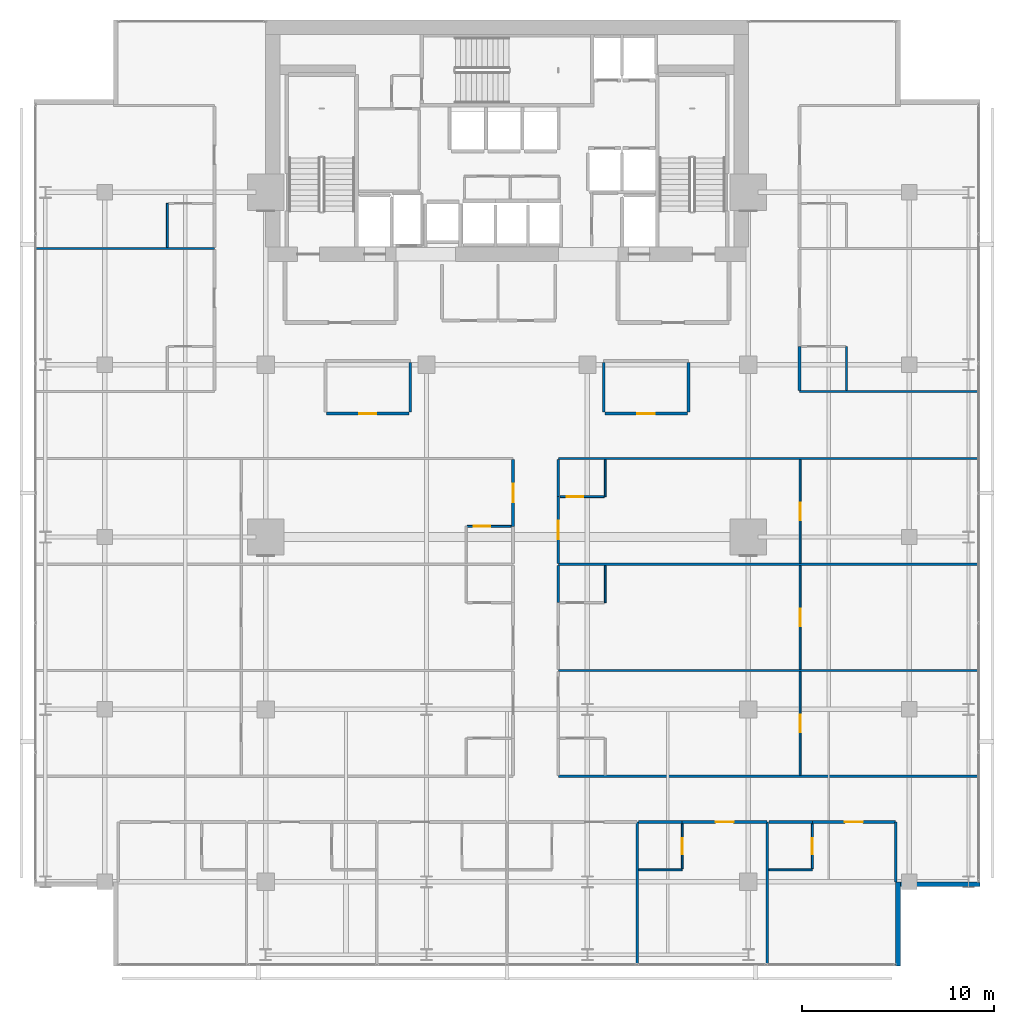
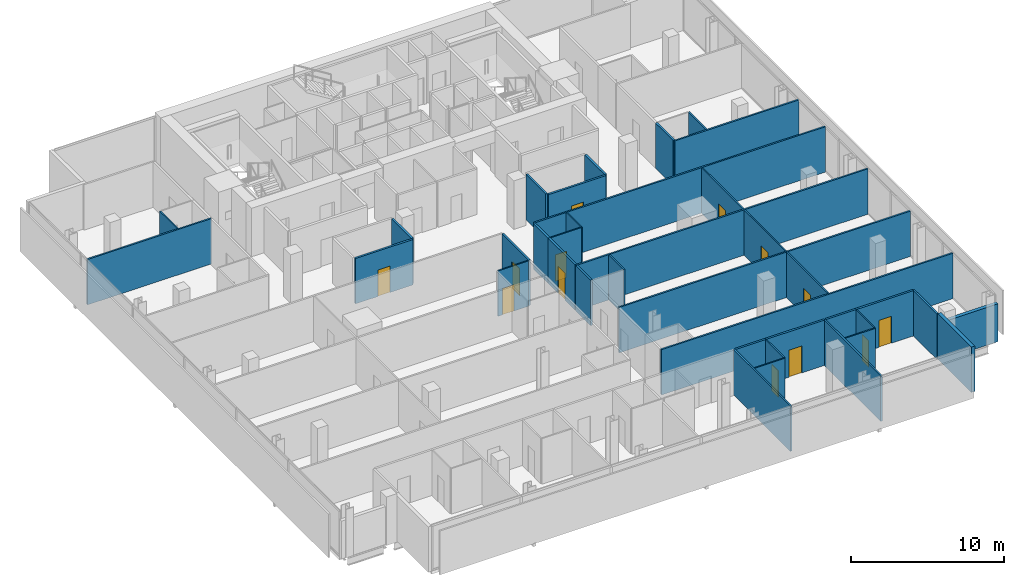
# One storey, part 28 of 33: 38 walls, 13 doors, 13 openings.
"""IFC4 building model written with IfcOpenShell, lengths in metres."""

from ifc_helpers import new_model, si_unit, direction, frame, frame_2d, origin, place, context, subcontext, project, spatial, rectangle, extrude, material, layer, layer_set, type_object, element, fill, save


model = new_model("IFC4")

# Units and contexts
model_context = context("Model", 3, precision=1e-05, world=origin(), true_north=direction((0.0, 1.0)))
body_context = subcontext(model_context, "Body", "Model", "MODEL_VIEW")
ifc_project = project(units=[si_unit("LENGTHUNIT", "METRE"), si_unit("AREAUNIT", "SQUARE_METRE"), si_unit("VOLUMEUNIT", "CUBIC_METRE"), si_unit("PLANEANGLEUNIT", "RADIAN"), si_unit("MASSUNIT", "GRAM", prefix="KILO")], contexts=[model_context])

# Site, building, storey
site_placement = place(None, origin())
site = spatial("IfcSite", under=ifc_project, at=site_placement, CompositionType="ELEMENT")
building_placement = place(site_placement, origin())
building = spatial("IfcBuilding", under=site, at=building_placement, Name="Maruvema Waterfront Hotel and Observation Tower", CompositionType="ELEMENT")
storey_placement = place(building_placement, frame((0.0, 0.0, 158.199951171875)))
storey = spatial("IfcBuildingStorey", under=building, at=storey_placement, Name="L38", CompositionType="ELEMENT", Elevation=158.199951171875)

# Wall
ifc_material_1 = material(Name="Twin-stud acoustic gypsum drywall", Category="gypsum")
ifc_layer_1 = layer(ifc_material_1, 0.14990234375, Name="Acoustic Corridor and Suite Demising Wall 150 mm")
ifc_layer_set_1 = layer_set([ifc_layer_1], Name="Twin-stud acoustic gypsum drywall")
wall_type_1 = type_object("IfcWallType", Name="Acoustic Corridor and Suite Demising Wall 150 mm", PredefinedType="PARTITIONING", material=ifc_layer_set_1)
wall_1_placement = place(storey_placement, frame((32.75, 33.530029296875, 0.0), z_axis=(0.0, 0.0, 1.0), x_axis=(0.0, 1.0, 0.0)))
element("IfcWall", 1, at=wall_1_placement, inside=storey, type_object=wall_type_1, Name="L38 L38-M1 East Wall 029", PredefinedType="PARTITIONING", context=body_context, shape_type="SweptSolid", body=[
    extrude(rectangle(XDim=2.590087890625, YDim=0.14990234375, at=frame_2d((1.294921875, 0.0))), origin(), (0.0, 0.0, 1.0), 3.610107421875),
])

# Wall, opening, door
wall_2_placement = place(storey_placement, frame((28.3798828125, 33.449951171875, 0.0), z_axis=(0.0, 0.0, 1.0), x_axis=(1.0, 0.0, 0.0)))
wall_2 = element("IfcWall", 2, at=wall_2_placement, inside=storey, type_object=wall_type_1, Name="L38 L38-M1 Front 1 030", PredefinedType="PARTITIONING", context=body_context, shape_type="SweptSolid", body=[
    extrude(rectangle(XDim=4.31005859375, YDim=0.14990234375, at=frame_2d((2.155029296875, 0.0))), origin(), (0.0, 0.0, 1.0), 3.610107421875),
])
opening_1_placement = place(wall_2_placement, frame((1.705078125, 0.0, 0.0)))
opening_1 = element("IfcOpeningElement", 3, at=opening_1_placement, cuts=wall_2, Name="Opening DR-090", PredefinedType="OPENING", context=body_context, shape_type="SweptSolid", body=[
    extrude(rectangle(XDim=0.89990234375, YDim=2.10009765625, at=frame_2d((0.449951171875, 1.050048828125))), frame((0.0, 0.0849609375, 0.0), z_axis=(0.0, -1.0, 0.0), x_axis=(1.0, 0.0, 0.0)), (0.0, 0.0, 1.0), 0.169921875),
])
ifc_material_2 = material(Name="Solid-core lacquered timber leaf", Category="wood")
door_type_1 = type_object("IfcDoorType", Name="Accessible Toilet and Room Door 900x2100 mm", OperationType="NOTDEFINED", PredefinedType="DOOR", material=ifc_material_2)
door_1_placement = place(opening_1_placement, frame((0.89990234375, 0.0, 0.0), z_axis=(0.0, 0.0, 1.0), x_axis=(-1.0, 0.0, 0.0)))
door_1 = element("IfcDoor", 4, at=door_1_placement, inside=storey, type_object=door_type_1, Name="L38 Study Office 1 Door", OperationType="SINGLE_SWING_LEFT", OverallHeight=2.10009765625, OverallWidth=0.89990234375, PredefinedType="DOOR", context=body_context, shape_type="SweptSolid", body=[
    extrude(rectangle(XDim=0.89990234375, YDim=2.10009765625, at=frame_2d((0.449951171875, 1.050048828125))), frame((0.0, 0.02490234375, 0.0), z_axis=(0.0, -1.0, 0.0), x_axis=(1.0, 0.0, 0.0)), (0.0, 0.0, 1.0), 0.050048828125),
])
fill(opening_1, door_1)

# Walls
for number, where, z_axis, x_axis, name in (
    (5, (42.85009765625, 33.530029296875, 0.0), (0.0, 0.0, 1.0), (0.0, 1.0, 0.0), "L38 L38-M2 West Wall 032"),
    (6, (47.280029296875, 33.530029296875, 0.0), (0.0, 0.0, 1.0), (0.0, 1.0, 0.0), "L38 L38-M2 East Wall 033"),
):
    element("IfcWall", number, at=place(storey_placement, frame(where, z_axis=z_axis, x_axis=x_axis)), inside=storey, type_object=wall_type_1, Name=name, PredefinedType="PARTITIONING", context=body_context, shape_type="SweptSolid", body=[
        extrude(rectangle(XDim=2.590087890625, YDim=0.14990234375, at=frame_2d((1.294921875, 0.0))), origin(), (0.0, 0.0, 1.0), 3.610107421875),
    ])

# Wall, opening, door
wall_3_placement = place(storey_placement, frame((42.909912109375, 33.449951171875, 0.0), z_axis=(0.0, 0.0, 1.0), x_axis=(1.0, 0.0, 0.0)))
wall_3 = element("IfcWall", 7, at=wall_3_placement, inside=storey, type_object=wall_type_1, Name="L38 L38-M2 Front 1 034", PredefinedType="PARTITIONING", context=body_context, shape_type="SweptSolid", body=[
    extrude(rectangle(XDim=4.31005859375, YDim=0.14990234375, at=frame_2d((2.155029296875, 0.0))), origin(), (0.0, 0.0, 1.0), 3.610107421875),
])
opening_2_placement = place(wall_3_placement, frame((1.705078125, 0.0, 0.0)))
opening_2 = element("IfcOpeningElement", 8, at=opening_2_placement, cuts=wall_3, Name="Opening DR-090", PredefinedType="OPENING", context=body_context, shape_type="SweptSolid", body=[
    extrude(rectangle(XDim=0.89990234375, YDim=2.10009765625, at=frame_2d((0.449951171875, 1.050048828125))), frame((0.0, 0.0849609375, 0.0), z_axis=(0.0, -1.0, 0.0), x_axis=(1.0, 0.0, 0.0)), (0.0, 0.0, 1.0), 0.169921875),
])
door_2_placement = place(opening_2_placement, frame((0.89990234375, 0.0, 0.0), z_axis=(0.0, 0.0, 1.0), x_axis=(-1.0, 0.0, 0.0)))
door_2 = element("IfcDoor", 9, at=door_2_placement, inside=storey, type_object=door_type_1, Name="L38 Tea Kitchenette Door", OperationType="SINGLE_SWING_RIGHT", OverallHeight=2.10009765625, OverallWidth=0.89990234375, PredefinedType="DOOR", context=body_context, shape_type="SweptSolid", body=[
    extrude(rectangle(XDim=0.89990234375, YDim=2.10009765625, at=frame_2d((0.449951171875, 1.050048828125))), frame((0.0, 0.02490234375, 0.0), z_axis=(0.0, -1.0, 0.0), x_axis=(1.0, 0.0, 0.0)), (0.0, 0.0, 1.0), 0.050048828125),
])
fill(opening_2, door_2)

# Wall
wall_4_placement = place(storey_placement, frame((44.679931640625, 12.1201171875, 0.0), z_axis=(0.0, 0.0, 1.0), x_axis=(1.0, 0.0, 0.0)))
element("IfcWall", 10, at=wall_4_placement, inside=storey, type_object=wall_type_1, Name="L38 Bath L38-S5 Back Wall 057", PredefinedType="PARTITIONING", context=body_context, shape_type="SweptSolid", body=[
    extrude(rectangle(XDim=2.27001953125, YDim=0.14990234375, at=frame_2d((1.135009765625, 0.0))), origin(), (0.0, 0.0, 1.0), 3.610107421875),
])

# Wall, opening, door
wall_5_placement = place(storey_placement, frame((46.949951171875, 12.1201171875, 0.0), z_axis=(0.0, 0.0, 1.0), x_axis=(1.0, 0.0, 0.0)))
wall_5 = element("IfcWall", 11, at=wall_5_placement, inside=storey, type_object=wall_type_1, Name="L38 Unit L38-S5 Corridor Wall 060", PredefinedType="PARTITIONING", context=body_context, shape_type="SweptSolid", body=[
    extrude(rectangle(XDim=4.429931640625, YDim=0.14990234375, at=frame_2d((2.21484375, 0.0))), origin(), (0.0, 0.0, 1.0), 3.610107421875),
])
opening_3_placement = place(wall_5_placement, frame((1.739990234375, 0.0, 0.0)))
opening_3 = element("IfcOpeningElement", 12, at=opening_3_placement, cuts=wall_5, Name="Opening DR-095", PredefinedType="OPENING", context=body_context, shape_type="SweptSolid", body=[
    extrude(rectangle(XDim=0.949951171875, YDim=2.14990234375, at=frame_2d((0.47509765625, 1.074951171875))), frame((0.0, 0.0849609375, 0.0), z_axis=(0.0, -1.0, 0.0), x_axis=(1.0, 0.0, 0.0)), (0.0, 0.0, 1.0), 0.169921875),
])
ifc_material_3 = material(Name="Acoustic solid-core hardwood timber leaf", Category="wood")
door_type_2 = type_object("IfcDoorType", Name="Guestroom Entrance Fire Door 950x2150 mm", OperationType="NOTDEFINED", PredefinedType="DOOR", material=ifc_material_3)
door_3_placement = place(opening_3_placement, frame((0.949951171875, 0.0, 0.0), z_axis=(0.0, 0.0, 1.0), x_axis=(-1.0, 0.0, 0.0)))
door_3 = element("IfcDoor", 13, at=door_3_placement, inside=storey, type_object=door_type_2, Name="L38 Unit L38-S5 Entrance Door", OperationType="SINGLE_SWING_RIGHT", OverallHeight=2.14990234375, OverallWidth=0.949951171875, PredefinedType="DOOR", context=body_context, shape_type="SweptSolid", body=[
    extrude(rectangle(XDim=0.949951171875, YDim=2.14990234375, at=frame_2d((0.47509765625, 1.074951171875))), frame((0.0, 0.02490234375, 0.0), z_axis=(0.0, -1.0, 0.0), x_axis=(1.0, 0.0, 0.0)), (0.0, 0.0, 1.0), 0.050048828125),
])
fill(opening_3, door_3)

# Wall
wall_6_placement = place(storey_placement, frame((51.47998046875, 12.1201171875, 0.0), z_axis=(0.0, 0.0, 1.0), x_axis=(1.0, 0.0, 0.0)))
element("IfcWall", 14, at=wall_6_placement, inside=storey, type_object=wall_type_1, Name="L38 Bath L38-S6 Back Wall 062", PredefinedType="PARTITIONING", context=body_context, shape_type="SweptSolid", body=[
    extrude(rectangle(XDim=2.27001953125, YDim=0.14990234375, at=frame_2d((1.135009765625, 0.0))), origin(), (0.0, 0.0, 1.0), 3.610107421875),
])

# Wall, opening, door
wall_7_placement = place(storey_placement, frame((53.75, 12.1201171875, 0.0), z_axis=(0.0, 0.0, 1.0), x_axis=(1.0, 0.0, 0.0)))
wall_7 = element("IfcWall", 15, at=wall_7_placement, inside=storey, type_object=wall_type_1, Name="L38 Unit L38-S6 Corridor Wall 065", PredefinedType="PARTITIONING", context=body_context, shape_type="SweptSolid", body=[
    extrude(rectangle(XDim=4.330078125, YDim=0.14990234375, at=frame_2d((2.1650390625, 0.0))), origin(), (0.0, 0.0, 1.0), 3.610107421875),
])
opening_4_placement = place(wall_7_placement, frame((1.68994140625, 0.0, 0.0)))
opening_4 = element("IfcOpeningElement", 16, at=opening_4_placement, cuts=wall_7, Name="Opening DR-095", PredefinedType="OPENING", context=body_context, shape_type="SweptSolid", body=[
    extrude(rectangle(XDim=0.949951171875, YDim=2.14990234375, at=frame_2d((0.47509765625, 1.074951171875))), frame((0.0, 0.0849609375, 0.0), z_axis=(0.0, -1.0, 0.0), x_axis=(1.0, 0.0, 0.0)), (0.0, 0.0, 1.0), 0.169921875),
])
door_4_placement = place(opening_4_placement, frame((0.949951171875, 0.0, 0.0), z_axis=(0.0, 0.0, 1.0), x_axis=(-1.0, 0.0, 0.0)))
door_4 = element("IfcDoor", 17, at=door_4_placement, inside=storey, type_object=door_type_2, Name="L38 Unit L38-S6 Entrance Door", OperationType="SINGLE_SWING_RIGHT", OverallHeight=2.14990234375, OverallWidth=0.949951171875, PredefinedType="DOOR", context=body_context, shape_type="SweptSolid", body=[
    extrude(rectangle(XDim=0.949951171875, YDim=2.14990234375, at=frame_2d((0.47509765625, 1.074951171875))), frame((0.0, 0.02490234375, 0.0), z_axis=(0.0, -1.0, 0.0), x_axis=(1.0, 0.0, 0.0)), (0.0, 0.0, 1.0), 0.050048828125),
])
fill(opening_4, door_4)

# Wall
wall_8_placement = place(storey_placement, frame((40.47998046875, 23.580078125, 0.0), z_axis=(0.0, 0.0, 1.0), x_axis=(0.0, 1.0, 0.0)))
element("IfcWall", 18, at=wall_8_placement, inside=storey, type_object=wall_type_1, Name="L38 Bath L38-E2 Wall 088", PredefinedType="PARTITIONING", context=body_context, shape_type="SweptSolid", body=[
    extrude(rectangle(XDim=1.929931640625, YDim=0.14990234375, at=frame_2d((0.96484375, 0.0))), origin(), (0.0, 0.0, 1.0), 3.610107421875),
])

# Wall, opening, door
wall_9_placement = place(storey_placement, frame((38.1201171875, 27.56005859375, 0.0), z_axis=(0.0, 0.0, 1.0), x_axis=(0.0, 1.0, 0.0)))
wall_9 = element("IfcWall", 19, at=wall_9_placement, inside=storey, type_object=wall_type_1, Name="L38 Room L38-W3 Corridor Wall 095", PredefinedType="PARTITIONING", context=body_context, shape_type="SweptSolid", body=[
    extrude(rectangle(XDim=3.47998046875, YDim=0.14990234375, at=frame_2d((1.739990234375, 0.0))), origin(), (0.0, 0.0, 1.0), 3.610107421875),
])
opening_5_placement = place(wall_9_placement, frame((1.264892578125, 0.0, 0.0)))
opening_5 = element("IfcOpeningElement", 20, at=opening_5_placement, cuts=wall_9, Name="Opening DR-095", PredefinedType="OPENING", context=body_context, shape_type="SweptSolid", body=[
    extrude(rectangle(XDim=0.949951171875, YDim=2.14990234375, at=frame_2d((0.47509765625, 1.074951171875))), frame((0.0, 0.0849609375, 0.0), z_axis=(0.0, -1.0, 0.0), x_axis=(1.0, 0.0, 0.0)), (0.0, 0.0, 1.0), 0.169921875),
])
door_5_placement = place(opening_5_placement, origin())
door_5 = element("IfcDoor", 21, at=door_5_placement, inside=storey, type_object=door_type_2, Name="L38 Room L38-W3 Entrance Door", OperationType="SINGLE_SWING_RIGHT", OverallHeight=2.14990234375, OverallWidth=0.949951171875, PredefinedType="DOOR", context=body_context, shape_type="SweptSolid", body=[
    extrude(rectangle(XDim=0.949951171875, YDim=2.14990234375, at=frame_2d((0.47509765625, 1.074951171875))), frame((0.0, 0.02490234375, 0.0), z_axis=(0.0, -1.0, 0.0), x_axis=(1.0, 0.0, 0.0)), (0.0, 0.0, 1.0), 0.050048828125),
])
fill(opening_5, door_5)

wall_10_placement = place(storey_placement, frame((40.47998046875, 25.6298828125, 0.0), z_axis=(0.0, 0.0, 1.0), x_axis=(0.0, 1.0, 0.0)))
wall_10 = element("IfcWall", 22, at=wall_10_placement, inside=storey, type_object=wall_type_1, Name="L38 Room L38-E3 Corridor Wall 099", PredefinedType="PARTITIONING", context=body_context, shape_type="SweptSolid", body=[
    extrude(rectangle(XDim=3.480224609375, YDim=0.14990234375, at=frame_2d((1.740234375, 0.0))), origin(), (0.0, 0.0, 1.0), 3.610107421875),
])
opening_6_placement = place(wall_10_placement, frame((1.264892578125, 0.0, 0.0)))
opening_6 = element("IfcOpeningElement", 23, at=opening_6_placement, cuts=wall_10, Name="Opening DR-095", PredefinedType="OPENING", context=body_context, shape_type="SweptSolid", body=[
    extrude(rectangle(XDim=0.949951171875, YDim=2.14990234375, at=frame_2d((0.47509765625, 1.074951171875))), frame((0.0, 0.0849609375, 0.0), z_axis=(0.0, -1.0, 0.0), x_axis=(1.0, 0.0, 0.0)), (0.0, 0.0, 1.0), 0.169921875),
])
door_6_placement = place(opening_6_placement, frame((0.949951171875, 0.0, 0.0), z_axis=(0.0, 0.0, 1.0), x_axis=(-1.0, 0.0, 0.0)))
door_6 = element("IfcDoor", 24, at=door_6_placement, inside=storey, type_object=door_type_2, Name="L38 Room L38-E3 Entrance Door", OperationType="SINGLE_SWING_LEFT", OverallHeight=2.14990234375, OverallWidth=0.949951171875, PredefinedType="DOOR", context=body_context, shape_type="SweptSolid", body=[
    extrude(rectangle(XDim=0.949951171875, YDim=2.14990234375, at=frame_2d((0.47509765625, 1.074951171875))), frame((0.0, 0.02490234375, 0.0), z_axis=(0.0, -1.0, 0.0), x_axis=(1.0, 0.0, 0.0)), (0.0, 0.0, 1.0), 0.050048828125),
])
fill(opening_6, door_6)

# Walls
wall_11_placement = place(storey_placement, frame((40.47998046875, 29.110107421875, 0.0), z_axis=(0.0, 0.0, 1.0), x_axis=(0.0, 1.0, 0.0)))
element("IfcWall", 25, at=wall_11_placement, inside=storey, type_object=wall_type_1, Name="L38 Bath L38-E3 Wall 100", PredefinedType="PARTITIONING", context=body_context, shape_type="SweptSolid", body=[
    extrude(rectangle(XDim=1.929931640625, YDim=0.14990234375, at=frame_2d((0.96484375, 0.0))), origin(), (0.0, 0.0, 1.0), 3.610107421875),
])
wall_12_placement = place(storey_placement, frame((53.080078125, 34.659912109375, 0.0), z_axis=(0.0, 0.0, 1.0), x_axis=(0.0, 1.0, 0.0)))
element("IfcWall", 26, at=wall_12_placement, inside=storey, type_object=wall_type_1, Name="L38 Bath L38-NE1 Wall 112", PredefinedType="PARTITIONING", context=body_context, shape_type="SweptSolid", body=[
    extrude(rectangle(XDim=2.2900390625, YDim=0.14990234375, at=frame_2d((1.14501953125, 0.0))), origin(), (0.0, 0.0, 1.0), 3.610107421875),
])
ifc_material_4 = material(Name="Moisture-resistant cement-board drywall", Category="gypsum")
ifc_layer_2 = layer(ifc_material_4, 0.10009765625, Name="En-Suite Moisture-Resistant Partition 100 mm")
ifc_layer_set_2 = layer_set([ifc_layer_2], Name="Moisture-resistant cement-board drywall")
wall_type_2 = type_object("IfcWallType", Name="En-Suite Moisture-Resistant Partition 100 mm", PredefinedType="PARTITIONING", material=ifc_layer_set_2)
wall_13_placement = place(storey_placement, frame((44.679931640625, 9.6201171875, 0.0), z_axis=(0.0, 0.0, 1.0), x_axis=(1.0, 0.0, 0.0)))
element("IfcWall", 27, at=wall_13_placement, inside=storey, type_object=wall_type_2, Name="L38 En-Suite L38-S5 South 058", PredefinedType="PARTITIONING", context=body_context, shape_type="SweptSolid", body=[
    extrude(rectangle(XDim=2.27001953125, YDim=0.10009765625, at=frame_2d((1.135009765625, 0.0))), origin(), (0.0, 0.0, 1.0), 3.610107421875),
])

# Wall, opening, door
wall_14_placement = place(storey_placement, frame((46.949951171875, 9.679931640625, 0.0), z_axis=(0.0, 0.0, 1.0), x_axis=(0.0, 1.0, 0.0)))
wall_14 = element("IfcWall", 28, at=wall_14_placement, inside=storey, type_object=wall_type_2, Name="L38 En-Suite L38-S5 East 059", PredefinedType="PARTITIONING", context=body_context, shape_type="SweptSolid", body=[
    extrude(rectangle(XDim=2.340087890625, YDim=0.10009765625, at=frame_2d((1.169921875, 0.0))), origin(), (0.0, 0.0, 1.0), 3.610107421875),
])
opening_7_placement = place(wall_14_placement, frame((0.7451171875, 0.0, 0.0)))
opening_7 = element("IfcOpeningElement", 29, at=opening_7_placement, cuts=wall_14, Name="Opening DR-085", PredefinedType="OPENING", context=body_context, shape_type="SweptSolid", body=[
    extrude(rectangle(XDim=0.85009765625, YDim=2.10009765625, at=frame_2d((0.425048828125, 1.050048828125))), frame((0.0, 0.06005859375, 0.0), z_axis=(0.0, -1.0, 0.0), x_axis=(1.0, 0.0, 0.0)), (0.0, 0.0, 1.0), 0.1201171875),
])
ifc_material_5 = material(Name="Moisture-resistant solid timber leaf", Category="wood")
door_type_3 = type_object("IfcDoorType", Name="En-Suite Bathroom Door 850x2100 mm", OperationType="NOTDEFINED", PredefinedType="DOOR", material=ifc_material_5)
door_7_placement = place(opening_7_placement, frame((0.85009765625, 0.0, 0.0), z_axis=(0.0, 0.0, 1.0), x_axis=(-1.0, 0.0, 0.0)))
door_7 = element("IfcDoor", 30, at=door_7_placement, inside=storey, type_object=door_type_3, Name="L38 En-Suite L38-S5 Door", OperationType="SINGLE_SWING_LEFT", OverallHeight=2.10009765625, OverallWidth=0.85009765625, PredefinedType="DOOR", context=body_context, shape_type="SweptSolid", body=[
    extrude(rectangle(XDim=0.85009765625, YDim=2.10009765625, at=frame_2d((0.425048828125, 1.050048828125))), frame((0.0, 0.02490234375, 0.0), z_axis=(0.0, -1.0, 0.0), x_axis=(1.0, 0.0, 0.0)), (0.0, 0.0, 1.0), 0.050048828125),
])
fill(opening_7, door_7)

# Wall
wall_15_placement = place(storey_placement, frame((51.47998046875, 9.6201171875, 0.0), z_axis=(0.0, 0.0, 1.0), x_axis=(1.0, 0.0, 0.0)))
element("IfcWall", 31, at=wall_15_placement, inside=storey, type_object=wall_type_2, Name="L38 En-Suite L38-S6 South 063", PredefinedType="PARTITIONING", context=body_context, shape_type="SweptSolid", body=[
    extrude(rectangle(XDim=2.27001953125, YDim=0.10009765625, at=frame_2d((1.135009765625, 0.0))), origin(), (0.0, 0.0, 1.0), 3.610107421875),
])

# Wall, opening, door
wall_16_placement = place(storey_placement, frame((53.75, 9.679931640625, 0.0), z_axis=(0.0, 0.0, 1.0), x_axis=(0.0, 1.0, 0.0)))
wall_16 = element("IfcWall", 32, at=wall_16_placement, inside=storey, type_object=wall_type_2, Name="L38 En-Suite L38-S6 East 064", PredefinedType="PARTITIONING", context=body_context, shape_type="SweptSolid", body=[
    extrude(rectangle(XDim=2.340087890625, YDim=0.10009765625, at=frame_2d((1.169921875, 0.0))), origin(), (0.0, 0.0, 1.0), 3.610107421875),
])
opening_8_placement = place(wall_16_placement, frame((0.7451171875, 0.0, 0.0)))
opening_8 = element("IfcOpeningElement", 33, at=opening_8_placement, cuts=wall_16, Name="Opening DR-085", PredefinedType="OPENING", context=body_context, shape_type="SweptSolid", body=[
    extrude(rectangle(XDim=0.85009765625, YDim=2.10009765625, at=frame_2d((0.425048828125, 1.050048828125))), frame((0.0, 0.06005859375, 0.0), z_axis=(0.0, -1.0, 0.0), x_axis=(1.0, 0.0, 0.0)), (0.0, 0.0, 1.0), 0.1201171875),
])
door_8_placement = place(opening_8_placement, frame((0.85009765625, 0.0, 0.0), z_axis=(0.0, 0.0, 1.0), x_axis=(-1.0, 0.0, 0.0)))
door_8 = element("IfcDoor", 34, at=door_8_placement, inside=storey, type_object=door_type_3, Name="L38 En-Suite L38-S6 Door", OperationType="SINGLE_SWING_LEFT", OverallHeight=2.10009765625, OverallWidth=0.85009765625, PredefinedType="DOOR", context=body_context, shape_type="SweptSolid", body=[
    extrude(rectangle(XDim=0.85009765625, YDim=2.10009765625, at=frame_2d((0.425048828125, 1.050048828125))), frame((0.0, 0.02490234375, 0.0), z_axis=(0.0, -1.0, 0.0), x_axis=(1.0, 0.0, 0.0)), (0.0, 0.0, 1.0), 0.050048828125),
])
fill(opening_8, door_8)

wall_17_placement = place(storey_placement, frame((53.1064453125, 14.56005859375, 0.0), z_axis=(0.0, 0.0, 1.0), x_axis=(0.0, 1.0, 0.0)))
wall_17 = element("IfcWall", 35, at=wall_17_placement, inside=storey, type_object=wall_type_2, Name="L38 Suite L38-E1 Split 079", PredefinedType="PARTITIONING", context=body_context, shape_type="SweptSolid", body=[
    extrude(rectangle(XDim=5.409912109375, YDim=0.10009765625, at=frame_2d((2.705078125, 0.0))), origin(), (0.0, 0.0, 1.0), 3.610107421875),
])
opening_9_placement = place(wall_17_placement, frame((2.2548828125, 0.0, 0.0)))
opening_9 = element("IfcOpeningElement", 36, at=opening_9_placement, cuts=wall_17, Name="Opening DR-090", PredefinedType="OPENING", context=body_context, shape_type="SweptSolid", body=[
    extrude(rectangle(XDim=0.89990234375, YDim=2.10009765625, at=frame_2d((0.449951171875, 1.050048828125))), frame((0.0, 0.06005859375, 0.0), z_axis=(0.0, -1.0, 0.0), x_axis=(1.0, 0.0, 0.0)), (0.0, 0.0, 1.0), 0.1201171875),
])
door_9_placement = place(opening_9_placement, frame((0.89990234375, 0.0, 0.0), z_axis=(0.0, 0.0, 1.0), x_axis=(-1.0, 0.0, 0.0)))
door_9 = element("IfcDoor", 37, at=door_9_placement, inside=storey, type_object=door_type_1, Name="L38 Suite L38-E1 Bedroom Door", OperationType="SINGLE_SWING_RIGHT", OverallHeight=2.10009765625, OverallWidth=0.89990234375, PredefinedType="DOOR", context=body_context, shape_type="SweptSolid", body=[
    extrude(rectangle(XDim=0.89990234375, YDim=2.10009765625, at=frame_2d((0.449951171875, 1.050048828125))), frame((0.0, 0.02490234375, 0.0), z_axis=(0.0, -1.0, 0.0), x_axis=(1.0, 0.0, 0.0)), (0.0, 0.0, 1.0), 0.050048828125),
])
fill(opening_9, door_9)

# Wall
wall_18_placement = place(storey_placement, frame((42.929931640625, 23.580078125, 0.0), z_axis=(0.0, 0.0, 1.0), x_axis=(0.0, 1.0, 0.0)))
element("IfcWall", 38, at=wall_18_placement, inside=storey, type_object=wall_type_2, Name="L38 En-Suite L38-E2 E 089", PredefinedType="PARTITIONING", context=body_context, shape_type="SweptSolid", body=[
    extrude(rectangle(XDim=1.929931640625, YDim=0.10009765625, at=frame_2d((0.96484375, 0.0))), origin(), (0.0, 0.0, 1.0), 3.610107421875),
])

# Wall, opening, door
wall_19_placement = place(storey_placement, frame((53.1064453125, 20.090087890625, 0.0), z_axis=(0.0, 0.0, 1.0), x_axis=(0.0, 1.0, 0.0)))
wall_19 = element("IfcWall", 39, at=wall_19_placement, inside=storey, type_object=wall_type_2, Name="L38 Suite L38-E2 Split 091", PredefinedType="PARTITIONING", context=body_context, shape_type="SweptSolid", body=[
    extrude(rectangle(XDim=5.419921875, YDim=0.10009765625, at=frame_2d((2.7099609375, 0.0))), origin(), (0.0, 0.0, 1.0), 3.610107421875),
])
opening_10_placement = place(wall_19_placement, frame((2.260009765625, 0.0, 0.0)))
opening_10 = element("IfcOpeningElement", 40, at=opening_10_placement, cuts=wall_19, Name="Opening DR-090", PredefinedType="OPENING", context=body_context, shape_type="SweptSolid", body=[
    extrude(rectangle(XDim=0.89990234375, YDim=2.10009765625, at=frame_2d((0.449951171875, 1.050048828125))), frame((0.0, 0.06005859375, 0.0), z_axis=(0.0, -1.0, 0.0), x_axis=(1.0, 0.0, 0.0)), (0.0, 0.0, 1.0), 0.1201171875),
])
door_10_placement = place(opening_10_placement, frame((0.89990234375, 0.0, 0.0), z_axis=(0.0, 0.0, 1.0), x_axis=(-1.0, 0.0, 0.0)))
door_10 = element("IfcDoor", 41, at=door_10_placement, inside=storey, type_object=door_type_1, Name="L38 Suite L38-E2 Bedroom Door", OperationType="SINGLE_SWING_RIGHT", OverallHeight=2.10009765625, OverallWidth=0.89990234375, PredefinedType="DOOR", context=body_context, shape_type="SweptSolid", body=[
    extrude(rectangle(XDim=0.89990234375, YDim=2.10009765625, at=frame_2d((0.449951171875, 1.050048828125))), frame((0.0, 0.02490234375, 0.0), z_axis=(0.0, -1.0, 0.0), x_axis=(1.0, 0.0, 0.0)), (0.0, 0.0, 1.0), 0.050048828125),
])
fill(opening_10, door_10)

wall_20_placement = place(storey_placement, frame((35.719970703125, 27.56005859375, 0.0), z_axis=(0.0, 0.0, 1.0), x_axis=(1.0, 0.0, 0.0)))
wall_20 = element("IfcWall", 42, at=wall_20_placement, inside=storey, type_object=wall_type_2, Name="L38 En-Suite L38-W3 N 097", PredefinedType="PARTITIONING", context=body_context, shape_type="SweptSolid", body=[
    extrude(rectangle(XDim=2.300048828125, YDim=0.10009765625, at=frame_2d((1.14990234375, 0.0))), origin(), (0.0, 0.0, 1.0), 3.610107421875),
])
opening_11_placement = place(wall_20_placement, frame((0.35009765625, 0.0, 0.0)))
opening_11 = element("IfcOpeningElement", 43, at=opening_11_placement, cuts=wall_20, Name="Opening DR-085", PredefinedType="OPENING", context=body_context, shape_type="SweptSolid", body=[
    extrude(rectangle(XDim=0.85009765625, YDim=2.10009765625, at=frame_2d((0.425048828125, 1.050048828125))), frame((0.0, 0.06005859375, 0.0), z_axis=(0.0, -1.0, 0.0), x_axis=(1.0, 0.0, 0.0)), (0.0, 0.0, 1.0), 0.1201171875),
])
door_11_placement = place(opening_11_placement, origin())
door_11 = element("IfcDoor", 44, at=door_11_placement, inside=storey, type_object=door_type_3, Name="L38 En-Suite L38-W3 Door", OperationType="SINGLE_SWING_LEFT", OverallHeight=2.10009765625, OverallWidth=0.85009765625, PredefinedType="DOOR", context=body_context, shape_type="SweptSolid", body=[
    extrude(rectangle(XDim=0.85009765625, YDim=2.10009765625, at=frame_2d((0.425048828125, 1.050048828125))), frame((0.0, 0.02490234375, 0.0), z_axis=(0.0, -1.0, 0.0), x_axis=(1.0, 0.0, 0.0)), (0.0, 0.0, 1.0), 0.050048828125),
])
fill(opening_11, door_11)

# Wall
wall_21_placement = place(storey_placement, frame((42.929931640625, 29.110107421875, 0.0), z_axis=(0.0, 0.0, 1.0), x_axis=(0.0, 1.0, 0.0)))
element("IfcWall", 45, at=wall_21_placement, inside=storey, type_object=wall_type_2, Name="L38 En-Suite L38-E3 E 101", PredefinedType="PARTITIONING", context=body_context, shape_type="SweptSolid", body=[
    extrude(rectangle(XDim=1.929931640625, YDim=0.10009765625, at=frame_2d((0.96484375, 0.0))), origin(), (0.0, 0.0, 1.0), 3.610107421875),
])

# Wall, opening, door
wall_22_placement = place(storey_placement, frame((40.580078125, 29.110107421875, 0.0), z_axis=(0.0, 0.0, 1.0), x_axis=(1.0, 0.0, 0.0)))
wall_22 = element("IfcWall", 46, at=wall_22_placement, inside=storey, type_object=wall_type_2, Name="L38 En-Suite L38-E3 S 102", PredefinedType="PARTITIONING", context=body_context, shape_type="SweptSolid", body=[
    extrude(rectangle(XDim=2.2998046875, YDim=0.10009765625, at=frame_2d((1.14990234375, 0.0))), origin(), (0.0, 0.0, 1.0), 3.610107421875),
])
opening_12_placement = place(wall_22_placement, frame((0.35009765625, 0.0, 0.0)))
opening_12 = element("IfcOpeningElement", 47, at=opening_12_placement, cuts=wall_22, Name="Opening DR-085", PredefinedType="OPENING", context=body_context, shape_type="SweptSolid", body=[
    extrude(rectangle(XDim=0.85009765625, YDim=2.10009765625, at=frame_2d((0.425048828125, 1.050048828125))), frame((0.0, 0.06005859375, 0.0), z_axis=(0.0, -1.0, 0.0), x_axis=(1.0, 0.0, 0.0)), (0.0, 0.0, 1.0), 0.1201171875),
])
door_12_placement = place(opening_12_placement, frame((0.85009765625, 0.0, 0.0), z_axis=(0.0, 0.0, 1.0), x_axis=(-1.0, 0.0, 0.0)))
door_12 = element("IfcDoor", 48, at=door_12_placement, inside=storey, type_object=door_type_3, Name="L38 En-Suite L38-E3 Door", OperationType="SINGLE_SWING_RIGHT", OverallHeight=2.10009765625, OverallWidth=0.85009765625, PredefinedType="DOOR", context=body_context, shape_type="SweptSolid", body=[
    extrude(rectangle(XDim=0.85009765625, YDim=2.10009765625, at=frame_2d((0.425048828125, 1.050048828125))), frame((0.0, 0.02490234375, 0.0), z_axis=(0.0, -1.0, 0.0), x_axis=(1.0, 0.0, 0.0)), (0.0, 0.0, 1.0), 0.050048828125),
])
fill(opening_12, door_12)

wall_23_placement = place(storey_placement, frame((53.1064453125, 25.6298828125, 0.0), z_axis=(0.0, 0.0, 1.0), x_axis=(0.0, 1.0, 0.0)))
wall_23 = element("IfcWall", 49, at=wall_23_placement, inside=storey, type_object=wall_type_2, Name="L38 Suite L38-E3 Split 103", PredefinedType="PARTITIONING", context=body_context, shape_type="SweptSolid", body=[
    extrude(rectangle(XDim=5.41015625, YDim=0.10009765625, at=frame_2d((2.705078125, 0.0))), origin(), (0.0, 0.0, 1.0), 3.610107421875),
])
opening_13_placement = place(wall_23_placement, frame((2.2548828125, 0.0, 0.0)))
opening_13 = element("IfcOpeningElement", 50, at=opening_13_placement, cuts=wall_23, Name="Opening DR-090", PredefinedType="OPENING", context=body_context, shape_type="SweptSolid", body=[
    extrude(rectangle(XDim=0.89990234375, YDim=2.10009765625, at=frame_2d((0.449951171875, 1.050048828125))), frame((0.0, 0.06005859375, 0.0), z_axis=(0.0, -1.0, 0.0), x_axis=(1.0, 0.0, 0.0)), (0.0, 0.0, 1.0), 0.1201171875),
])
door_13_placement = place(opening_13_placement, frame((0.89990234375, 0.0, 0.0), z_axis=(0.0, 0.0, 1.0), x_axis=(-1.0, 0.0, 0.0)))
door_13 = element("IfcDoor", 51, at=door_13_placement, inside=storey, type_object=door_type_1, Name="L38 Suite L38-E3 Bedroom Door", OperationType="SINGLE_SWING_RIGHT", OverallHeight=2.10009765625, OverallWidth=0.89990234375, PredefinedType="DOOR", context=body_context, shape_type="SweptSolid", body=[
    extrude(rectangle(XDim=0.89990234375, YDim=2.10009765625, at=frame_2d((0.449951171875, 1.050048828125))), frame((0.0, 0.02490234375, 0.0), z_axis=(0.0, -1.0, 0.0), x_axis=(1.0, 0.0, 0.0)), (0.0, 0.0, 1.0), 0.050048828125),
])
fill(opening_13, door_13)

# Walls
wall_24_placement = place(storey_placement, frame((55.530029296875, 34.659912109375, 0.0), z_axis=(0.0, 0.0, 1.0), x_axis=(0.0, 1.0, 0.0)))
element("IfcWall", 52, at=wall_24_placement, inside=storey, type_object=wall_type_2, Name="L38 En-Suite L38-NE1 E 114", PredefinedType="PARTITIONING", context=body_context, shape_type="SweptSolid", body=[
    extrude(rectangle(XDim=2.2900390625, YDim=0.10009765625, at=frame_2d((1.14501953125, 0.0))), origin(), (0.0, 0.0, 1.0), 3.610107421875),
])
wall_25_placement = place(storey_placement, frame((20.070068359375, 42.12890625, 0.0), z_axis=(0.0, 0.0, 1.0), x_axis=(0.0, 1.0, 0.0)))
element("IfcWall", 53, at=wall_25_placement, inside=storey, type_object=wall_type_2, Name="L38 En-Suite L38-NW2 W 120", PredefinedType="PARTITIONING", context=body_context, shape_type="SweptSolid", body=[
    extrude(rectangle(XDim=2.289794921875, YDim=0.10009765625, at=frame_2d((1.14501953125, 0.0))), origin(), (0.0, 0.0, 1.0), 3.610107421875),
])
ifc_material_6 = material(Name="Precast concrete C45/55 with honed Pernambuco granite facing", Category="masonry")
ifc_layer_3 = layer(ifc_material_6, 0.260009765625, Name="Exterior Granite Clad Spandrel and Pier Wall 260 mm")
ifc_layer_set_3 = layer_set([ifc_layer_3], Name="Precast concrete C45/55 with honed Pernambuco granite facing")
wall_type_3 = type_object("IfcWallType", Name="Exterior Granite Clad Spandrel and Pier Wall 260 mm", PredefinedType="SOLIDWALL", material=ifc_layer_set_3)
wall_26_placement = place(storey_placement, frame((58.22998046875, 9.0, 0.0), z_axis=(0.0, 0.0, 1.0), x_axis=(0.0, -1.0, 0.0)))
element("IfcWall", 54, at=wall_26_placement, inside=storey, type_object=wall_type_3, Name="L38 Corner Notch Granite Pier Wall SE1", PredefinedType="SOLIDWALL", context=body_context, shape_type="SweptSolid", body=[
    extrude(rectangle(XDim=4.39990234375, YDim=0.260009765625, at=frame_2d((2.199951171875, 0.0))), origin(), (0.0, 0.0, 1.0), 3.610107421875),
])
wall_27_placement = place(storey_placement, frame((62.5, 8.8701171875, 0.0), z_axis=(0.0, 0.0, 1.0), x_axis=(-1.0, 0.0, 0.0)))
element("IfcWall", 55, at=wall_27_placement, inside=storey, type_object=wall_type_3, Name="L38 Corner Notch Granite Pier Wall SE2", PredefinedType="SOLIDWALL", context=body_context, shape_type="SweptSolid", body=[
    extrude(rectangle(XDim=4.39990234375, YDim=0.260009765625, at=frame_2d((2.199951171875, 0.0))), origin(), (0.0, 0.0, 1.0), 3.007080078125),
])
ifc_material_7 = material(Name="Acoustic gypsum plasterboard drywall", Category="gypsum")
ifc_layer_4 = layer(ifc_material_7, 0.125, Name="Guestroom Acoustic Demising Wall 125 mm")
ifc_layer_set_4 = layer_set([ifc_layer_4], Name="Acoustic gypsum plasterboard drywall")
wall_type_4 = type_object("IfcWallType", Name="Guestroom Acoustic Demising Wall 125 mm", PredefinedType="PARTITIONING", material=ifc_layer_set_4)
wall_28_placement = place(storey_placement, frame((58.10009765625, 9.0, 0.0), z_axis=(0.0, 0.0, 1.0), x_axis=(0.0, 1.0, 0.0)))
element("IfcWall", 56, at=wall_28_placement, inside=storey, type_object=wall_type_4, Name="L38 Z2 S East End 036", PredefinedType="PARTITIONING", context=body_context, shape_type="SweptSolid", body=[
    extrude(rectangle(XDim=3.1201171875, YDim=0.125, at=frame_2d((1.56005859375, 0.0))), origin(), (0.0, 0.0, 1.0), 3.610107421875),
])
for number, where, z_axis, x_axis, name in (
    (57, (44.60009765625, 4.699951171875, 0.0), (0.0, 0.0, 1.0), (0.0, 1.0, 0.0), "L38 Z2 S Demising 5 056"),
    (58, (51.39990234375, 4.699951171875, 0.0), (0.0, 0.0, 1.0), (0.0, 1.0, 0.0), "L38 Z2 S Demising 6 061"),
):
    element("IfcWall", number, at=place(storey_placement, frame(where, z_axis=z_axis, x_axis=x_axis)), inside=storey, type_object=wall_type_4, Name=name, PredefinedType="PARTITIONING", context=body_context, shape_type="SweptSolid", body=[
        extrude(rectangle(XDim=7.420166015625, YDim=0.125, at=frame_2d((3.7099609375, 0.0))), origin(), (0.0, 0.0, 1.0), 3.610107421875),
    ])
for number, where, z_axis, x_axis, name in (
    (59, (40.47998046875, 14.5, 0.0), (0.0, 0.0, 1.0), (1.0, 0.0, 0.0), "L38 Z2 E Bot End 067"),
    (60, (40.47998046875, 31.10009765625, 0.0), (0.0, 0.0, 1.0), (1.0, 0.0, 0.0), "L38 Z2 E Top End 069"),
    (61, (40.47998046875, 20.030029296875, 0.0), (0.0, 0.0, 1.0), (1.0, 0.0, 0.0), "L38 Z2 E Demising 2 081"),
    (62, (40.47998046875, 25.570068359375, 0.0), (0.0, 0.0, 1.0), (1.0, 0.0, 0.0), "L38 Z2 E Demising 3 093"),
):
    element("IfcWall", number, at=place(storey_placement, frame(where, z_axis=z_axis, x_axis=x_axis)), inside=storey, type_object=wall_type_4, Name=name, PredefinedType="PARTITIONING", context=body_context, shape_type="SweptSolid", body=[
        extrude(rectangle(XDim=21.919921875, YDim=0.125, at=frame_2d((10.9599609375, 0.0))), origin(), (0.0, 0.0, 1.0), 3.610107421875),
    ])
wall_29_placement = place(storey_placement, frame((53.080078125, 34.60009765625, 0.0), z_axis=(0.0, 0.0, 1.0), x_axis=(1.0, 0.0, 0.0)))
element("IfcWall", 63, at=wall_29_placement, inside=storey, type_object=wall_type_4, Name="L38 Z2 NE Bot End 105", PredefinedType="PARTITIONING", context=body_context, shape_type="SweptSolid", body=[
    extrude(rectangle(XDim=9.31982421875, YDim=0.125, at=frame_2d((4.659912109375, 0.0))), origin(), (0.0, 0.0, 1.0), 3.610107421875),
])
wall_30_placement = place(storey_placement, frame((13.199951171875, 42.06884765625, 0.0), z_axis=(0.0, 0.0, 1.0), x_axis=(1.0, 0.0, 0.0)))
element("IfcWall", 64, at=wall_30_placement, inside=storey, type_object=wall_type_4, Name="L38 Z2 NW Demising 2 116", PredefinedType="PARTITIONING", context=body_context, shape_type="SweptSolid", body=[
    extrude(rectangle(XDim=9.320068359375, YDim=0.125, at=frame_2d((4.66015625, 0.0))), origin(), (0.0, 0.0, 1.0), 3.610107421875),
])

save(model, "model.ifc")
